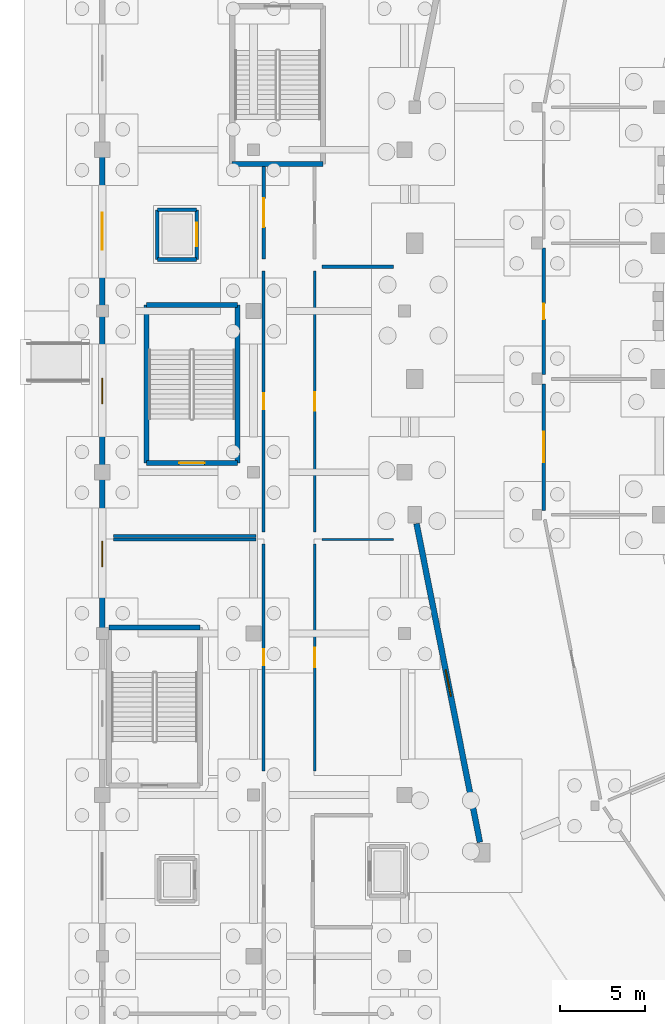
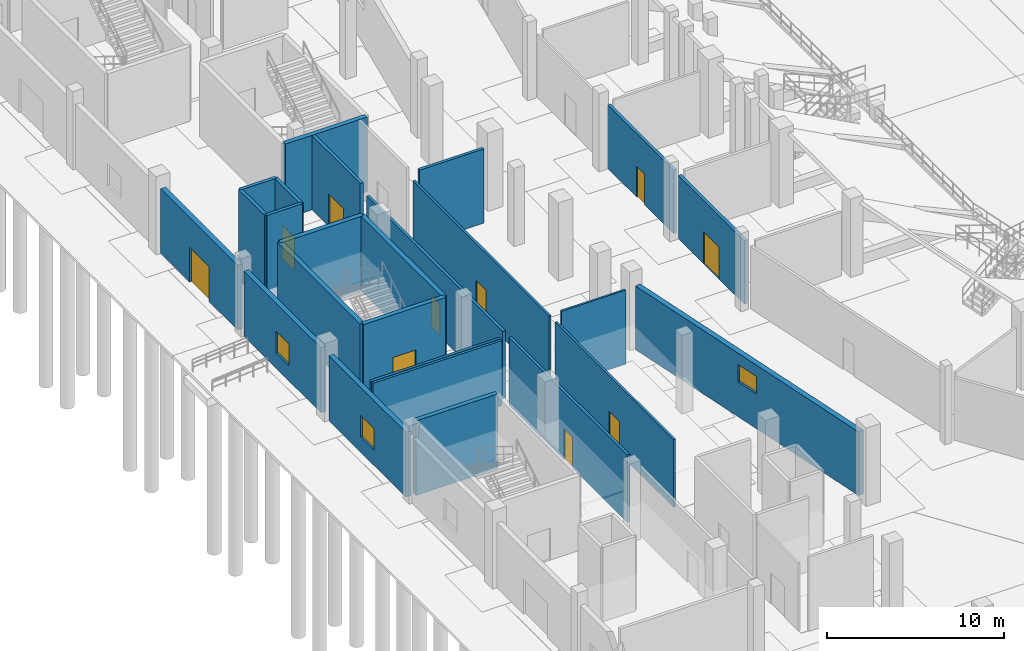
# One storey, part 28 of 68: 25 walls, 10 doors, 3 windows, 13 openings.
"""IFC4 building model written with IfcOpenShell, lengths in metres."""

from ifc_helpers import new_model, si_unit, direction, frame, frame_2d, origin, place, context, subcontext, project, spatial, rectangle, extrude, material, layer, layer_set, type_object, element, fill, save


model = new_model("IFC4")

# Units and contexts
model_context = context("Model", 3, precision=1e-05, world=origin(), true_north=direction((0.0, 1.0)))
body_context = subcontext(model_context, "Body", "Model", "MODEL_VIEW")
ifc_project = project(units=[si_unit("LENGTHUNIT", "METRE"), si_unit("AREAUNIT", "SQUARE_METRE"), si_unit("VOLUMEUNIT", "CUBIC_METRE"), si_unit("PLANEANGLEUNIT", "RADIAN"), si_unit("MASSUNIT", "GRAM", prefix="KILO")], contexts=[model_context])

# Site, building, storey
site_placement = place(None, origin())
site = spatial("IfcSite", under=ifc_project, at=site_placement, CompositionType="ELEMENT")
building_placement = place(site_placement, origin())
building = spatial("IfcBuilding", under=site, at=building_placement, Name="Candeia Ridge Stadium", CompositionType="ELEMENT")
storey_placement = place(building_placement, origin())
storey = spatial("IfcBuildingStorey", under=building, at=storey_placement, Name="L00", CompositionType="ELEMENT", Elevation=0.0)

# Wall, opening, door
ifc_material_1 = material(Name="Gypsum Metal-Stud Partition", Category="gypsum")
ifc_layer_1 = layer(ifc_material_1, 0.14501953125, Name="Gypsum Metal-Stud Partition", Category="gypsum")
ifc_layer_set_1 = layer_set([ifc_layer_1], Name="Gypsum Metal-Stud Partition")
wall_type_1 = type_object("IfcWallType", Name="Athlete Recovery Partition 145", PredefinedType="PARTITIONING", material=ifc_layer_set_1)
wall_1_placement = place(storey_placement, frame((13.10009765625, 55.919921875, 0.0), z_axis=(0.0, 0.0, 1.0), x_axis=(0.0, 1.0, 0.0)))
wall_1 = element("IfcWall", 1, at=wall_1_placement, inside=storey, type_object=wall_type_1, Name="Interior partition PT-L00-0007", PredefinedType="PARTITIONING", context=body_context, shape_type="SweptSolid", body=[
    extrude(rectangle(XDim=13.365966796875, YDim=0.14501953125, at=frame_2d((6.68310546875, 0.0))), origin(), (0.0, 0.0, 1.0), 4.66796875),
])
opening_1_placement = place(wall_1_placement, frame((6.10791015625, 0.0, 0.0)))
opening_1 = element("IfcOpeningElement", 2, at=opening_1_placement, cuts=wall_1, Name="Opening ID02", PredefinedType="OPENING", context=body_context, shape_type="SweptSolid", body=[
    extrude(rectangle(XDim=1.14990234375, YDim=2.199951171875, at=frame_2d((0.574951171875, 1.10009765625))), frame((0.0, 0.08251953125, 0.0), z_axis=(0.0, -1.0, 0.0), x_axis=(1.0, 0.0, 0.0)), (0.0, 0.0, 1.0), 0.1650390625),
])
ifc_material_2 = material(Name="Acoustic Timber Studio Leaf", Category="wood")
door_type_1 = type_object("IfcDoorType", Name="Broadcast & Press Studio Door 1150x2200", OperationType="NOTDEFINED", PredefinedType="DOOR", material=ifc_material_2)
door_1_placement = place(opening_1_placement, frame((1.14990234375, 0.0, 0.0), z_axis=(0.0, 0.0, 1.0), x_axis=(-1.0, 0.0, 0.0)))
door_1 = element("IfcDoor", 3, at=door_1_placement, inside=storey, type_object=door_type_1, Name="Interior room door D-L00-0004", OperationType="SINGLE_SWING_LEFT", OverallHeight=2.199951171875, OverallWidth=1.14990234375, PredefinedType="DOOR", context=body_context, shape_type="SweptSolid", body=[
    extrude(rectangle(XDim=1.14990234375, YDim=2.199951171875, at=frame_2d((0.574951171875, 1.10009765625))), frame((0.0, 0.02490234375, 0.0), z_axis=(0.0, -1.0, 0.0), x_axis=(1.0, 0.0, 0.0)), (0.0, 0.0, 1.0), 0.050048828125),
])
fill(opening_1, door_1)

ifc_material_3 = material(Name="Concrete Masonry Blockwork C25/30", Category="masonry")
ifc_layer_2 = layer(ifc_material_3, 0.14990234375, Name="Concrete Masonry Blockwork C25/30", Category="masonry")
ifc_layer_set_2 = layer_set([ifc_layer_2], Name="Concrete Masonry Blockwork C25/30")
wall_type_2 = type_object("IfcWallType", Name="Concourse Kiosk Partition 150", PredefinedType="PARTITIONING", material=ifc_layer_set_2)
wall_2_placement = place(storey_placement, frame((13.10009765625, 69.986083984375, 0.0), z_axis=(0.0, 0.0, 1.0), x_axis=(0.0, 1.0, 0.0)))
wall_2 = element("IfcWall", 4, at=wall_2_placement, inside=storey, type_object=wall_type_2, Name="Interior partition PT-L00-0011", PredefinedType="PARTITIONING", context=body_context, shape_type="SweptSolid", body=[
    extrude(rectangle(XDim=15.3759765625, YDim=0.14990234375, at=frame_2d((7.68798828125, 0.0))), origin(), (0.0, 0.0, 1.0), 4.66796875),
])
opening_2_placement = place(wall_2_placement, frame((7.137939453125, 0.0, 0.0)))
opening_2 = element("IfcOpeningElement", 5, at=opening_2_placement, cuts=wall_2, Name="Opening FD04", PredefinedType="OPENING", context=body_context, shape_type="SweptSolid", body=[
    extrude(rectangle(XDim=1.10009765625, YDim=2.14990234375, at=frame_2d((0.550048828125, 1.074951171875))), frame((0.0, 0.0849609375, 0.0), z_axis=(0.0, -1.0, 0.0), x_axis=(1.0, 0.0, 0.0)), (0.0, 0.0, 1.0), 0.169921875),
])
ifc_material_4 = material(Name="Galvanized Fire-Rated Steel", Category="steel")
door_type_2 = type_object("IfcDoorType", Name="Plant & Riser Rated Door 1100x2150", OperationType="NOTDEFINED", PredefinedType="DOOR", material=ifc_material_4)
door_2_placement = place(opening_2_placement, origin())
door_2 = element("IfcDoor", 6, at=door_2_placement, inside=storey, type_object=door_type_2, Name="Interior room door D-L00-0006", OperationType="SINGLE_SWING_LEFT", OverallHeight=2.14990234375, OverallWidth=1.10009765625, PredefinedType="DOOR", context=body_context, shape_type="SweptSolid", body=[
    extrude(rectangle(XDim=1.10009765625, YDim=2.14990234375, at=frame_2d((0.550048828125, 1.074951171875))), frame((0.0, 0.02490234375, 0.0), z_axis=(0.0, -1.0, 0.0), x_axis=(1.0, 0.0, 0.0)), (0.0, 0.0, 1.0), 0.050048828125),
])
fill(opening_2, door_2)

# Walls
ifc_material_5 = material(Name="Concrete C45/55", Category="concrete")
ifc_layer_3 = layer(ifc_material_5, 0.300048828125, Name="Concrete C45/55", Category="concrete")
ifc_layer_set_3 = layer_set([ifc_layer_3], Name="Concrete C45/55")
wall_type_3 = type_object("IfcWallType", Name="Core Shear Wall Concrete 300", PredefinedType="SHEAR", material=ifc_layer_set_3)
wall_3_placement = place(storey_placement, frame((6.349609375, 64.349609375, 0.0), z_axis=(0.0, 0.0, 1.0), x_axis=(-1.0, 0.0, 0.0)))
element("IfcWall", 7, at=wall_3_placement, inside=storey, type_object=wall_type_3, Name="Core C05 far shear wall L00", PredefinedType="SHEAR", context=body_context, shape_type="SweptSolid", body=[
    extrude(rectangle(XDim=5.34912109375, YDim=0.300048828125, at=frame_2d((2.674560546875, 0.0))), origin(), (0.0, 0.0, 1.0), 5.139892578125),
])
wall_4_placement = place(storey_placement, frame((8.549560546875, 74.05029296875, 0.0), z_axis=(0.0, 0.0, 1.0), x_axis=(0.0, 1.0, 0.0)))
element("IfcWall", 8, at=wall_4_placement, inside=storey, type_object=wall_type_3, Name="Core C07 left shear wall L00", PredefinedType="SHEAR", context=body_context, shape_type="SweptSolid", body=[
    extrude(rectangle(XDim=9.29931640625, YDim=0.300048828125, at=frame_2d((4.649658203125, 0.0))), origin(), (0.0, 0.0, 1.0), 5.139892578125),
])
wall_5_placement = place(storey_placement, frame((8.549560546875, 83.349609375, 0.0), z_axis=(0.0, 0.0, 1.0), x_axis=(-1.0, 0.0, 0.0)))
element("IfcWall", 9, at=wall_5_placement, inside=storey, type_object=wall_type_3, Name="Core C07 far shear wall L00", PredefinedType="SHEAR", context=body_context, shape_type="SweptSolid", body=[
    extrude(rectangle(XDim=5.34912109375, YDim=0.300048828125, at=frame_2d((2.674560546875, 0.0))), origin(), (0.0, 0.0, 1.0), 5.139892578125),
])
wall_6_placement = place(storey_placement, frame((3.200439453125, 83.349609375, 0.0), z_axis=(0.0, 0.0, 1.0), x_axis=(0.0, -1.0, 0.0)))
element("IfcWall", 10, at=wall_6_placement, inside=storey, type_object=wall_type_3, Name="Core C07 right shear wall L00", PredefinedType="SHEAR", context=body_context, shape_type="SweptSolid", body=[
    extrude(rectangle(XDim=9.29931640625, YDim=0.300048828125, at=frame_2d((4.649658203125, 0.0))), origin(), (0.0, 0.0, 1.0), 5.139892578125),
])

# Wall, opening, door
wall_7_placement = place(storey_placement, frame((3.200439453125, 74.05029296875, 0.0), z_axis=(0.0, 0.0, 1.0), x_axis=(1.0, 0.0, 0.0)))
wall_7 = element("IfcWall", 11, at=wall_7_placement, inside=storey, type_object=wall_type_3, Name="Core C07 near shear wall L00", PredefinedType="SHEAR", context=body_context, shape_type="SweptSolid", body=[
    extrude(rectangle(XDim=5.34912109375, YDim=0.300048828125, at=frame_2d((2.674560546875, 0.0))), origin(), (0.0, 0.0, 1.0), 5.139892578125),
])
opening_3_placement = place(wall_7_placement, frame((1.924560546875, 0.0, 0.0)))
opening_3 = element("IfcOpeningElement", 12, at=opening_3_placement, cuts=wall_7, Name="Opening FD01", PredefinedType="OPENING", context=body_context, shape_type="SweptSolid", body=[
    extrude(rectangle(XDim=1.5, YDim=2.199951171875, at=frame_2d((0.75, 1.10009765625))), frame((0.0, 0.159912109375, 0.0), z_axis=(0.0, -1.0, 0.0), x_axis=(1.0, 0.0, 0.0)), (0.0, 0.0, 1.0), 0.320068359375),
])
door_type_3 = type_object("IfcDoorType", Name="Exit Stair Core Fire Door 1500x2200", OperationType="NOTDEFINED", PredefinedType="DOOR", material=ifc_material_4)
door_3_placement = place(opening_3_placement, frame((1.5, 0.0, 0.0), z_axis=(0.0, 0.0, 1.0), x_axis=(-1.0, 0.0, 0.0)))
door_3 = element("IfcDoor", 13, at=door_3_placement, inside=storey, type_object=door_type_3, Name="Exit stair fire door SD-ST07-L00", OperationType="DOUBLE_DOOR_SINGLE_SWING", OverallHeight=2.199951171875, OverallWidth=1.5, PredefinedType="DOOR", context=body_context, shape_type="SweptSolid", body=[
    extrude(rectangle(XDim=1.5, YDim=2.199951171875, at=frame_2d((0.75, 1.10009765625))), frame((0.0, 0.02490234375, 0.0), z_axis=(0.0, -1.0, 0.0), x_axis=(1.0, 0.0, 0.0)), (0.0, 0.0, 1.0), 0.050048828125),
])
fill(opening_3, door_3)

# Wall
wall_8_placement = place(storey_placement, frame((8.25048828125, 91.650390625, 0.0), z_axis=(0.0, 0.0, 1.0), x_axis=(1.0, 0.0, 0.0)))
element("IfcWall", 14, at=wall_8_placement, inside=storey, type_object=wall_type_3, Name="Core C08 far shear wall L00", PredefinedType="SHEAR", context=body_context, shape_type="SweptSolid", body=[
    extrude(rectangle(XDim=5.34912109375, YDim=0.300048828125, at=frame_2d((2.674560546875, 0.0))), origin(), (0.0, 0.0, 1.0), 5.139892578125),
])

# Wall, opening, door
ifc_material_6 = material(Name="Gypsum Acoustic Twin-Stud Assembly", Category="gypsum")
ifc_layer_4 = layer(ifc_material_6, 0.179931640625, Name="Gypsum Acoustic Twin-Stud Assembly", Category="gypsum")
ifc_layer_set_4 = layer_set([ifc_layer_4], Name="Gypsum Acoustic Twin-Stud Assembly")
wall_type_4 = type_object("IfcWallType", Name="Corridor Fire Partition 180", PredefinedType="PARTITIONING", material=ifc_layer_set_4)
wall_9_placement = place(storey_placement, frame((10.10009765625, 85.362060546875, 0.0), z_axis=(0.0, 0.0, 1.0), x_axis=(0.0, -1.0, 0.0)))
wall_9 = element("IfcWall", 15, at=wall_9_placement, inside=storey, type_object=wall_type_4, Name="Interior partition PT-L00-0009", PredefinedType="PARTITIONING", context=body_context, shape_type="SweptSolid", body=[
    extrude(rectangle(XDim=15.3759765625, YDim=0.179931640625, at=frame_2d((7.68798828125, 0.0))), origin(), (0.0, 0.0, 1.0), 4.66796875),
])
opening_4_placement = place(wall_9_placement, frame((7.212890625, 0.0, 0.0)))
opening_4 = element("IfcOpeningElement", 16, at=opening_4_placement, cuts=wall_9, Name="Opening ID05", PredefinedType="OPENING", context=body_context, shape_type="SweptSolid", body=[
    extrude(rectangle(XDim=0.949951171875, YDim=2.14990234375, at=frame_2d((0.47509765625, 1.074951171875))), frame((0.0, 0.099853515625, 0.0), z_axis=(0.0, -1.0, 0.0), x_axis=(1.0, 0.0, 0.0)), (0.0, 0.0, 1.0), 0.199951171875),
])
ifc_material_7 = material(Name="Solid Core Cedar Veneer", Category="wood")
door_type_4 = type_object("IfcDoorType", Name="General Room Single Door 950x2150", OperationType="NOTDEFINED", PredefinedType="DOOR", material=ifc_material_7)
door_4_placement = place(opening_4_placement, frame((0.949951171875, 0.0, 0.0), z_axis=(0.0, 0.0, 1.0), x_axis=(-1.0, 0.0, 0.0)))
door_4 = element("IfcDoor", 17, at=door_4_placement, inside=storey, type_object=door_type_4, Name="Interior room door D-L00-0005", OperationType="SINGLE_SWING_RIGHT", OverallHeight=2.14990234375, OverallWidth=0.949951171875, PredefinedType="DOOR", context=body_context, shape_type="SweptSolid", body=[
    extrude(rectangle(XDim=0.949951171875, YDim=2.14990234375, at=frame_2d((0.47509765625, 1.074951171875))), frame((0.0, 0.02490234375, 0.0), z_axis=(0.0, -1.0, 0.0), x_axis=(1.0, 0.0, 0.0)), (0.0, 0.0, 1.0), 0.050048828125),
])
fill(opening_4, door_4)

# Wall
wall_10_placement = place(storey_placement, frame((9.64990234375, 69.736083984375, 0.0), z_axis=(0.0, 0.0, 1.0), x_axis=(-1.0, 0.0, 0.0)))
element("IfcWall", 18, at=wall_10_placement, inside=storey, type_object=wall_type_4, Name="Demising partition PT-L00-0010", PredefinedType="PARTITIONING", context=body_context, shape_type="SweptSolid", body=[
    extrude(rectangle(XDim=8.39990234375, YDim=0.179931640625, at=frame_2d((4.199951171875, 0.0))), origin(), (0.0, 0.0, 1.0), 4.47509765625),
])

# Wall, opening, window
ifc_material_8 = material(Name="Concrete C40/50", Category="concrete")
ifc_layer_5 = layer(ifc_material_8, 0.340087890625, Name="Concrete C40/50", Category="concrete")
ifc_layer_set_5 = layer_set([ifc_layer_5], Name="Concrete C40/50")
wall_type_5 = type_object("IfcWallType", Name="Exterior Acoustic Bowl Plinth Wall 340", PredefinedType="SOLIDWALL", material=ifc_layer_set_5)
wall_11_placement = place(storey_placement, frame((19.104248046875, 70.476318359375, 0.0), z_axis=(0.0, 0.0, 1.0), x_axis=(0.19509043962, -0.98078525701, 0.0)))
wall_11 = element("IfcWall", 19, at=wall_11_placement, inside=storey, type_object=wall_type_5, Name="Bowl plinth exterior wall EW-L00-0003", PredefinedType="SOLIDWALL", context=body_context, shape_type="SweptSolid", body=[
    extrude(rectangle(XDim=19.135498046875, YDim=0.340087890625, at=frame_2d((9.56787109375, 0.0))), origin(), (0.0, 0.0, 1.0), 4.385009765625),
])
opening_5_placement = place(wall_11_placement, frame((8.767578125, 0.0, 2.39990234375)))
opening_5 = element("IfcOpeningElement", 20, at=opening_5_placement, cuts=wall_11, Name="Opening W15", PredefinedType="OPENING", context=body_context, shape_type="SweptSolid", body=[
    extrude(rectangle(XDim=1.60009765625, YDim=1.199951171875, at=frame_2d((0.800048828125, 0.60009765625))), frame((0.0, 0.179931640625, 0.0), z_axis=(0.0, -1.0, 0.0), x_axis=(1.0, 0.0, 0.0)), (0.0, 0.0, 1.0), 0.360107421875),
])
ifc_material_9 = material(Name="Tempered Solar-Control Double Glazing", Category="glass")
window_type_1 = type_object("IfcWindowType", Name="Plant Acoustic Louvre Window 1600x1200", PartitioningType="SINGLE_PANEL", PredefinedType="WINDOW", material=ifc_material_9)
window_1_placement = place(opening_5_placement, origin())
window_1 = element("IfcWindow", 21, at=window_1_placement, inside=storey, type_object=window_type_1, Name="Bowl plinth louvre window WIN-BWL-003", OverallHeight=1.199951171875, OverallWidth=1.60009765625, PartitioningType="SINGLE_PANEL", PredefinedType="WINDOW", context=body_context, shape_type="SweptSolid", body=[
    extrude(rectangle(XDim=1.60009765625, YDim=1.199951171875, at=frame_2d((0.800048828125, 0.60009765625))), frame((0.0, 0.030029296875, 0.0), z_axis=(0.0, -1.0, 0.0), x_axis=(1.0, 0.0, 0.0)), (0.0, 0.0, 1.0), 0.06005859375),
])
fill(opening_5, window_1)

ifc_material_10 = material(Name="Concrete C35/45", Category="concrete")
ifc_layer_6 = layer(ifc_material_10, 0.320068359375, Name="Concrete C35/45", Category="concrete")
ifc_layer_set_6 = layer_set([ifc_layer_6], Name="Concrete C35/45")
wall_type_6 = type_object("IfcWallType", Name="Exterior Cedar-Clad Insulated Wall 320", PredefinedType="SOLIDWALL", material=ifc_layer_set_6)
wall_12_placement = place(storey_placement, frame((0.60009765625, 64.337890625, 0.0), z_axis=(0.0, 0.0, 1.0), x_axis=(0.0, 1.0, 0.0)))
wall_12 = element("IfcWall", 22, at=wall_12_placement, inside=storey, type_object=wall_type_6, Name="Exterior facade wall EW-L00-0050", PredefinedType="SOLIDWALL", context=body_context, shape_type="SweptSolid", body=[
    extrude(rectangle(XDim=8.72412109375, YDim=0.320068359375, at=frame_2d((4.362060546875, 0.0))), origin(), (0.0, 0.0, 1.0), 4.47509765625),
])
opening_6_placement = place(wall_12_placement, frame((3.612060546875, 0.0, 1.050048828125)))
opening_6 = element("IfcOpeningElement", 23, at=opening_6_placement, cuts=wall_12, Name="Opening W14", PredefinedType="OPENING", context=body_context, shape_type="SweptSolid", body=[
    extrude(rectangle(XDim=1.5, YDim=1.5, at=frame_2d((0.75, 0.75))), frame((0.0, 0.169921875, 0.0), z_axis=(0.0, -1.0, 0.0), x_axis=(1.0, 0.0, 0.0)), (0.0, 0.0, 1.0), 0.340087890625),
])
window_type_2 = type_object("IfcWindowType", Name="Medical & Admin Window 1500x1500", PartitioningType="SINGLE_PANEL", PredefinedType="WINDOW", material=ifc_material_9)
window_2_placement = place(opening_6_placement, origin())
window_2 = element("IfcWindow", 24, at=window_2_placement, inside=storey, type_object=window_type_2, Name="Exterior window WIN-L00-011", OverallHeight=1.5, OverallWidth=1.5, PartitioningType="SINGLE_PANEL", PredefinedType="WINDOW", context=body_context, shape_type="SweptSolid", body=[
    extrude(rectangle(XDim=1.5, YDim=1.5, at=frame_2d((0.75, 0.75))), frame((0.0, 0.030029296875, 0.0), z_axis=(0.0, -1.0, 0.0), x_axis=(1.0, 0.0, 0.0)), (0.0, 0.0, 1.0), 0.06005859375),
])
fill(opening_6, window_2)

wall_13_placement = place(storey_placement, frame((0.60009765625, 73.93798828125, 0.0), z_axis=(0.0, 0.0, 1.0), x_axis=(0.0, 1.0, 0.0)))
wall_13 = element("IfcWall", 25, at=wall_13_placement, inside=storey, type_object=wall_type_6, Name="Exterior facade wall EW-L00-0051", PredefinedType="SOLIDWALL", context=body_context, shape_type="SweptSolid", body=[
    extrude(rectangle(XDim=8.72412109375, YDim=0.320068359375, at=frame_2d((4.362060546875, 0.0))), origin(), (0.0, 0.0, 1.0), 4.47509765625),
])
opening_7_placement = place(wall_13_placement, frame((3.612060546875, 0.0, 1.050048828125)))
opening_7 = element("IfcOpeningElement", 26, at=opening_7_placement, cuts=wall_13, Name="Opening W14", PredefinedType="OPENING", context=body_context, shape_type="SweptSolid", body=[
    extrude(rectangle(XDim=1.5, YDim=1.5, at=frame_2d((0.75, 0.75))), frame((0.0, 0.169921875, 0.0), z_axis=(0.0, -1.0, 0.0), x_axis=(1.0, 0.0, 0.0)), (0.0, 0.0, 1.0), 0.340087890625),
])
window_3_placement = place(opening_7_placement, origin())
window_3 = element("IfcWindow", 27, at=window_3_placement, inside=storey, type_object=window_type_2, Name="Exterior window WIN-L00-012", OverallHeight=1.5, OverallWidth=1.5, PartitioningType="SINGLE_PANEL", PredefinedType="WINDOW", context=body_context, shape_type="SweptSolid", body=[
    extrude(rectangle(XDim=1.5, YDim=1.5, at=frame_2d((0.75, 0.75))), frame((0.0, 0.030029296875, 0.0), z_axis=(0.0, -1.0, 0.0), x_axis=(1.0, 0.0, 0.0)), (0.0, 0.0, 1.0), 0.06005859375),
])
fill(opening_7, window_3)

# Wall, opening, door
wall_14_placement = place(storey_placement, frame((0.60009765625, 83.337890625, 0.0), z_axis=(0.0, 0.0, 1.0), x_axis=(0.0, 1.0, 0.0)))
wall_14 = element("IfcWall", 28, at=wall_14_placement, inside=storey, type_object=wall_type_6, Name="Exterior facade wall EW-L00-0052", PredefinedType="SOLIDWALL", context=body_context, shape_type="SweptSolid", body=[
    extrude(rectangle(XDim=8.72412109375, YDim=0.320068359375, at=frame_2d((4.362060546875, 0.0))), origin(), (0.0, 0.0, 1.0), 4.47509765625),
])
opening_8_placement = place(wall_14_placement, frame((3.261962890625, 0.0, 0.0)))
opening_8 = element("IfcOpeningElement", 29, at=opening_8_placement, cuts=wall_14, Name="Opening ED04", PredefinedType="OPENING", context=body_context, shape_type="SweptSolid", body=[
    extrude(rectangle(XDim=2.199951171875, YDim=2.39990234375, at=frame_2d((1.10009765625, 1.199951171875))), frame((0.0, 0.169921875, 0.0), z_axis=(0.0, -1.0, 0.0), x_axis=(1.0, 0.0, 0.0)), (0.0, 0.0, 1.0), 0.340087890625),
])
ifc_material_11 = material(Name="Aluminium Anodized Glazed Door", Category="aluminium")
door_type_5 = type_object("IfcDoorType", Name="VIP Entrance Glazed Door 2200x2400", OperationType="NOTDEFINED", PredefinedType="DOOR", material=ifc_material_11)
door_5_placement = place(opening_8_placement, origin())
door_5 = element("IfcDoor", 30, at=door_5_placement, inside=storey, type_object=door_type_5, Name="Pedestrian exit gate G04", OperationType="DOUBLE_DOOR_SINGLE_SWING", OverallHeight=2.39990234375, OverallWidth=2.199951171875, PredefinedType="DOOR", context=body_context, shape_type="SweptSolid", body=[
    extrude(rectangle(XDim=2.199951171875, YDim=2.39990234375, at=frame_2d((1.10009765625, 1.199951171875))), frame((0.0, 0.02490234375, 0.0), z_axis=(0.0, -1.0, 0.0), x_axis=(1.0, 0.0, 0.0)), (0.0, 0.0, 1.0), 0.050048828125),
])
fill(opening_8, door_5)

# Wall
ifc_layer_7 = layer(ifc_material_8, 0.219970703125, Name="Concrete C40/50", Category="concrete")
ifc_layer_set_7 = layer_set([ifc_layer_7], Name="Concrete C40/50")
wall_type_7 = type_object("IfcWallType", Name="Lift & Riser Shaft Wall 220", PredefinedType="SHEAR", material=ifc_layer_set_7)
wall_15_placement = place(storey_placement, frame((3.840087890625, 86.0400390625, -1.10009765625), z_axis=(0.0, 0.0, 1.0), x_axis=(1.0, 0.0, 0.0)))
element("IfcWall", 31, at=wall_15_placement, inside=storey, type_object=wall_type_7, Name="Lift GL1 shaft wall L00 south", PredefinedType="SHEAR", context=body_context, shape_type="SweptSolid", body=[
    extrude(rectangle(XDim=2.31982421875, YDim=0.219970703125, at=frame_2d((1.159912109375, 0.0))), origin(), (0.0, 0.0, 1.0), 6.239990234375),
])

# Wall, opening, door
wall_16_placement = place(storey_placement, frame((6.159912109375, 86.0400390625, -1.10009765625), z_axis=(0.0, 0.0, 1.0), x_axis=(0.0, 1.0, 0.0)))
wall_16 = element("IfcWall", 32, at=wall_16_placement, inside=storey, type_object=wall_type_7, Name="Lift GL1 shaft wall L00 east", PredefinedType="SHEAR", context=body_context, shape_type="SweptSolid", body=[
    extrude(rectangle(XDim=2.919921875, YDim=0.219970703125, at=frame_2d((1.4599609375, 0.0))), origin(), (0.0, 0.0, 1.0), 6.239990234375),
])
opening_9_placement = place(wall_16_placement, frame((0.760009765625, 0.0, 1.10009765625)))
opening_9 = element("IfcOpeningElement", 33, at=opening_9_placement, cuts=wall_16, Name="Opening LD03", PredefinedType="OPENING", context=body_context, shape_type="SweptSolid", body=[
    extrude(rectangle(XDim=1.39990234375, YDim=2.300048828125, at=frame_2d((0.699951171875, 1.14990234375))), frame((0.0, 0.119873046875, 0.0), z_axis=(0.0, -1.0, 0.0), x_axis=(1.0, 0.0, 0.0)), (0.0, 0.0, 1.0), 0.239990234375),
])
ifc_material_12 = material(Name="Brushed Stainless Steel", Category="steel")
door_type_6 = type_object("IfcDoorType", Name="Goods Lift Landing Door 1400x2300", OperationType="NOTDEFINED", PredefinedType="DOOR", material=ifc_material_12)
door_6_placement = place(opening_9_placement, origin())
door_6 = element("IfcDoor", 34, at=door_6_placement, inside=storey, type_object=door_type_6, Name="Lift landing sliding door LD-GL1-L00", OperationType="DOUBLE_DOOR_SLIDING", OverallHeight=2.300048828125, OverallWidth=1.39990234375, PredefinedType="DOOR", context=body_context, shape_type="SweptSolid", body=[
    extrude(rectangle(XDim=1.39990234375, YDim=2.300048828125, at=frame_2d((0.699951171875, 1.14990234375))), frame((0.0, 0.02490234375, 0.0), z_axis=(0.0, -1.0, 0.0), x_axis=(1.0, 0.0, 0.0)), (0.0, 0.0, 1.0), 0.050048828125),
])
fill(opening_9, door_6)

# Walls
wall_17_placement = place(storey_placement, frame((6.159912109375, 88.9599609375, -1.10009765625), z_axis=(0.0, 0.0, 1.0), x_axis=(-1.0, 0.0, 0.0)))
element("IfcWall", 35, at=wall_17_placement, inside=storey, type_object=wall_type_7, Name="Lift GL1 shaft wall L00 north", PredefinedType="SHEAR", context=body_context, shape_type="SweptSolid", body=[
    extrude(rectangle(XDim=2.31982421875, YDim=0.219970703125, at=frame_2d((1.159912109375, 0.0))), origin(), (0.0, 0.0, 1.0), 6.239990234375),
])
wall_18_placement = place(storey_placement, frame((3.840087890625, 88.9599609375, -1.10009765625), z_axis=(0.0, 0.0, 1.0), x_axis=(0.0, -1.0, 0.0)))
element("IfcWall", 36, at=wall_18_placement, inside=storey, type_object=wall_type_7, Name="Lift GL1 shaft wall L00 west", PredefinedType="SHEAR", context=body_context, shape_type="SweptSolid", body=[
    extrude(rectangle(XDim=2.919921875, YDim=0.219970703125, at=frame_2d((1.4599609375, 0.0))), origin(), (0.0, 0.0, 1.0), 6.239990234375),
])
ifc_material_13 = material(Name="Gypsum Acoustic Triple-Board Wall", Category="gypsum")
ifc_layer_8 = layer(ifc_material_13, 0.18994140625, Name="Gypsum Acoustic Triple-Board Wall", Category="gypsum")
ifc_layer_set_8 = layer_set([ifc_layer_8], Name="Gypsum Acoustic Triple-Board Wall")
wall_type_8 = type_object("IfcWallType", Name="Media & Commentary Studio Wall 190", PredefinedType="PARTITIONING", material=ifc_layer_set_8)
wall_19_placement = place(storey_placement, frame((13.550048828125, 85.612060546875, 0.0), z_axis=(0.0, 0.0, 1.0), x_axis=(1.0, 0.0, 0.0)))
element("IfcWall", 37, at=wall_19_placement, inside=storey, type_object=wall_type_8, Name="Demising partition PT-L00-0012", PredefinedType="PARTITIONING", context=body_context, shape_type="SweptSolid", body=[
    extrude(rectangle(XDim=4.199951171875, YDim=0.18994140625, at=frame_2d((2.10009765625, 0.0))), origin(), (0.0, 0.0, 1.0), 5.1201171875),
])

# Wall, opening, door
wall_20_placement = place(storey_placement, frame((26.60009765625, 79.25, 0.0), z_axis=(0.0, 0.0, 1.0), x_axis=(0.0, 1.0, 0.0)))
wall_20 = element("IfcWall", 38, at=wall_20_placement, inside=storey, type_object=wall_type_8, Name="Interior partition PT-L00-0134", PredefinedType="PARTITIONING", context=body_context, shape_type="SweptSolid", body=[
    extrude(rectangle(XDim=7.4599609375, YDim=0.18994140625, at=frame_2d((3.72998046875, 0.0))), origin(), (0.0, 0.0, 1.0), 4.375),
])
opening_10_placement = place(wall_20_placement, frame((3.27001953125, 0.0, 0.0)))
opening_10 = element("IfcOpeningElement", 39, at=opening_10_placement, cuts=wall_20, Name="Opening ID15", PredefinedType="OPENING", context=body_context, shape_type="SweptSolid", body=[
    extrude(rectangle(XDim=0.919921875, YDim=2.10009765625, at=frame_2d((0.4599609375, 1.050048828125))), frame((0.0, 0.10498046875, 0.0), z_axis=(0.0, -1.0, 0.0), x_axis=(1.0, 0.0, 0.0)), (0.0, 0.0, 1.0), 0.2099609375),
])
ifc_material_14 = material(Name="Powder-Coated Hollow Metal", Category="steel")
door_type_7 = type_object("IfcDoorType", Name="Concourse Store Single Door 920x2100", OperationType="NOTDEFINED", PredefinedType="DOOR", material=ifc_material_14)
door_7_placement = place(opening_10_placement, origin())
door_7 = element("IfcDoor", 40, at=door_7_placement, inside=storey, type_object=door_type_7, Name="Interior room door D-L00-0071", OperationType="SINGLE_SWING_LEFT", OverallHeight=2.10009765625, OverallWidth=0.919921875, PredefinedType="DOOR", context=body_context, shape_type="SweptSolid", body=[
    extrude(rectangle(XDim=0.919921875, YDim=2.10009765625, at=frame_2d((0.4599609375, 1.050048828125))), frame((0.0, 0.02490234375, 0.0), z_axis=(0.0, -1.0, 0.0), x_axis=(1.0, 0.0, 0.0)), (0.0, 0.0, 1.0), 0.050048828125),
])
fill(opening_10, door_7)

ifc_layer_9 = layer(ifc_material_6, 0.175048828125, Name="Gypsum Acoustic Twin-Stud Assembly", Category="gypsum")
ifc_layer_set_9 = layer_set([ifc_layer_9], Name="Gypsum Acoustic Twin-Stud Assembly")
wall_type_9 = type_object("IfcWallType", Name="Museum Acoustic Gallery Wall 175", PredefinedType="PARTITIONING", material=ifc_layer_set_9)
wall_21_placement = place(storey_placement, frame((10.10009765625, 69.285888671875, 0.0), z_axis=(0.0, 0.0, 1.0), x_axis=(0.0, -1.0, 0.0)))
wall_21 = element("IfcWall", 41, at=wall_21_placement, inside=storey, type_object=wall_type_9, Name="Interior partition PT-L00-0005", PredefinedType="PARTITIONING", context=body_context, shape_type="SweptSolid", body=[
    extrude(rectangle(XDim=13.365966796875, YDim=0.175048828125, at=frame_2d((6.68310546875, 0.0))), origin(), (0.0, 0.0, 1.0), 4.66796875),
])
opening_11_placement = place(wall_21_placement, frame((6.202880859375, 0.0, 0.0)))
opening_11 = element("IfcOpeningElement", 42, at=opening_11_placement, cuts=wall_21, Name="Opening ID17", PredefinedType="OPENING", context=body_context, shape_type="SweptSolid", body=[
    extrude(rectangle(XDim=0.9599609375, YDim=2.14990234375, at=frame_2d((0.47998046875, 1.074951171875))), frame((0.0, 0.097412109375, 0.0), z_axis=(0.0, -1.0, 0.0), x_axis=(1.0, 0.0, 0.0)), (0.0, 0.0, 1.0), 0.195068359375),
])
door_type_8 = type_object("IfcDoorType", Name="Ticketing Office Single Door 960x2150", OperationType="NOTDEFINED", PredefinedType="DOOR", material=ifc_material_7)
door_8_placement = place(opening_11_placement, origin())
door_8 = element("IfcDoor", 43, at=door_8_placement, inside=storey, type_object=door_type_8, Name="Interior room door D-L00-0003", OperationType="SINGLE_SWING_RIGHT", OverallHeight=2.14990234375, OverallWidth=0.9599609375, PredefinedType="DOOR", context=body_context, shape_type="SweptSolid", body=[
    extrude(rectangle(XDim=0.9599609375, YDim=2.14990234375, at=frame_2d((0.47998046875, 1.074951171875))), frame((0.0, 0.02490234375, 0.0), z_axis=(0.0, -1.0, 0.0), x_axis=(1.0, 0.0, 0.0)), (0.0, 0.0, 1.0), 0.050048828125),
])
fill(opening_11, door_8)

ifc_material_15 = material(Name="Moisture-Resistant Masonry & Tile", Category="masonry")
ifc_layer_10 = layer(ifc_material_15, 0.2099609375, Name="Moisture-Resistant Masonry & Tile", Category="masonry")
ifc_layer_set_10 = layer_set([ifc_layer_10], Name="Moisture-Resistant Masonry & Tile")
wall_type_10 = type_object("IfcWallType", Name="Sanitary Wet-Wall Plumbing Chase 210", PredefinedType="PLUMBINGWALL", material=ifc_layer_set_10)
wall_22_placement = place(storey_placement, frame((10.10009765625, 91.510009765625, 0.0), z_axis=(0.0, 0.0, 1.0), x_axis=(0.0, -1.0, 0.0)))
wall_22 = element("IfcWall", 44, at=wall_22_placement, inside=storey, type_object=wall_type_10, Name="Interior partition PT-L00-0013", PredefinedType="PLUMBINGWALL", context=body_context, shape_type="SweptSolid", body=[
    extrude(rectangle(XDim=5.447998046875, YDim=0.2099609375, at=frame_2d((2.72412109375, 0.0))), origin(), (0.0, 0.0, 1.0), 5.1201171875),
])
opening_12_placement = place(wall_22_placement, frame((1.8740234375, 0.0, 0.0)))
opening_12 = element("IfcOpeningElement", 45, at=opening_12_placement, cuts=wall_22, Name="Opening ID09", PredefinedType="OPENING", context=body_context, shape_type="SweptSolid", body=[
    extrude(rectangle(XDim=1.699951171875, YDim=2.25, at=frame_2d((0.85009765625, 1.125))), frame((0.0, 0.114990234375, 0.0), z_axis=(0.0, -1.0, 0.0), x_axis=(1.0, 0.0, 0.0)), (0.0, 0.0, 1.0), 0.22998046875),
])
ifc_material_16 = material(Name="Timber Fire-Rated Acoustic", Category="wood")
door_type_9 = type_object("IfcDoorType", Name="Founders Lounge Double Door 1700x2250", OperationType="NOTDEFINED", PredefinedType="DOOR", material=ifc_material_16)
door_9_placement = place(opening_12_placement, origin())
door_9 = element("IfcDoor", 46, at=door_9_placement, inside=storey, type_object=door_type_9, Name="Interior room door D-L00-0007", OperationType="DOUBLE_DOOR_SINGLE_SWING", OverallHeight=2.25, OverallWidth=1.699951171875, PredefinedType="DOOR", context=body_context, shape_type="SweptSolid", body=[
    extrude(rectangle(XDim=1.699951171875, YDim=2.25, at=frame_2d((0.85009765625, 1.125))), frame((0.0, 0.02490234375, 0.0), z_axis=(0.0, -1.0, 0.0), x_axis=(1.0, 0.0, 0.0)), (0.0, 0.0, 1.0), 0.050048828125),
])
fill(opening_12, door_9)

wall_23_placement = place(storey_placement, frame((26.60009765625, 71.25, 0.0), z_axis=(0.0, 0.0, 1.0), x_axis=(0.0, 1.0, 0.0)))
wall_23 = element("IfcWall", 47, at=wall_23_placement, inside=storey, type_object=wall_type_10, Name="Interior partition PT-L00-0136", PredefinedType="PLUMBINGWALL", context=body_context, shape_type="SweptSolid", body=[
    extrude(rectangle(XDim=7.4599609375, YDim=0.2099609375, at=frame_2d((3.72998046875, 0.0))), origin(), (0.0, 0.0, 1.0), 4.364990234375),
])
opening_13_placement = place(wall_23_placement, frame((2.830078125, 0.0, 0.0)))
opening_13 = element("IfcOpeningElement", 48, at=opening_13_placement, cuts=wall_23, Name="Opening FD03", PredefinedType="OPENING", context=body_context, shape_type="SweptSolid", body=[
    extrude(rectangle(XDim=1.800048828125, YDim=2.199951171875, at=frame_2d((0.89990234375, 1.10009765625))), frame((0.0, 0.114990234375, 0.0), z_axis=(0.0, -1.0, 0.0), x_axis=(1.0, 0.0, 0.0)), (0.0, 0.0, 1.0), 0.22998046875),
])
door_type_10 = type_object("IfcDoorType", Name="Corridor Compartment Double Door 1800x2200", OperationType="NOTDEFINED", PredefinedType="DOOR", material=ifc_material_16)
door_10_placement = place(opening_13_placement, origin())
door_10 = element("IfcDoor", 49, at=door_10_placement, inside=storey, type_object=door_type_10, Name="Interior room door D-L00-0072", OperationType="DOUBLE_DOOR_SINGLE_SWING", OverallHeight=2.199951171875, OverallWidth=1.800048828125, PredefinedType="DOOR", context=body_context, shape_type="SweptSolid", body=[
    extrude(rectangle(XDim=1.800048828125, YDim=2.199951171875, at=frame_2d((0.89990234375, 1.10009765625))), frame((0.0, 0.02490234375, 0.0), z_axis=(0.0, -1.0, 0.0), x_axis=(1.0, 0.0, 0.0)), (0.0, 0.0, 1.0), 0.050048828125),
])
fill(opening_13, door_10)

# Walls
ifc_layer_11 = layer(ifc_material_6, 0.169921875, Name="Gypsum Acoustic Twin-Stud Assembly", Category="gypsum")
ifc_layer_set_11 = layer_set([ifc_layer_11], Name="Gypsum Acoustic Twin-Stud Assembly")
wall_type_11 = type_object("IfcWallType", Name="Skybox Demising Acoustic Wall 170", PredefinedType="PARTITIONING", material=ifc_layer_set_11)
wall_24_placement = place(storey_placement, frame((1.25, 69.535888671875, 0.0), z_axis=(0.0, 0.0, 1.0), x_axis=(1.0, 0.0, 0.0)))
element("IfcWall", 50, at=wall_24_placement, inside=storey, type_object=wall_type_11, Name="Demising partition PT-L00-0006", PredefinedType="PARTITIONING", context=body_context, shape_type="SweptSolid", body=[
    extrude(rectangle(XDim=8.39990234375, YDim=0.169921875, at=frame_2d((4.199951171875, 0.0))), origin(), (0.0, 0.0, 1.0), 4.47509765625),
])
ifc_layer_12 = layer(ifc_material_1, 0.1298828125, Name="Gypsum Metal-Stud Partition", Category="gypsum")
ifc_layer_set_12 = layer_set([ifc_layer_12], Name="Gypsum Metal-Stud Partition")
wall_type_12 = type_object("IfcWallType", Name="Ticketing Back-Office Partition 130", PredefinedType="PARTITIONING", material=ifc_layer_set_12)
wall_25_placement = place(storey_placement, frame((13.550048828125, 69.535888671875, 0.0), z_axis=(0.0, 0.0, 1.0), x_axis=(1.0, 0.0, 0.0)))
element("IfcWall", 51, at=wall_25_placement, inside=storey, type_object=wall_type_12, Name="Demising partition PT-L00-0008", PredefinedType="PARTITIONING", context=body_context, shape_type="SweptSolid", body=[
    extrude(rectangle(XDim=4.199951171875, YDim=0.1298828125, at=frame_2d((2.10009765625, 0.0))), origin(), (0.0, 0.0, 1.0), 5.1201171875),
])

save(model, "model.ifc")
